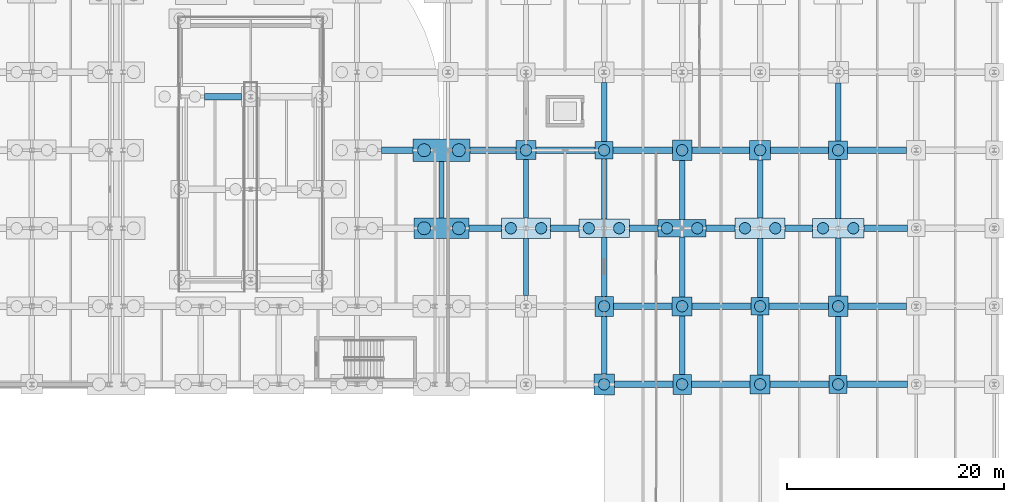
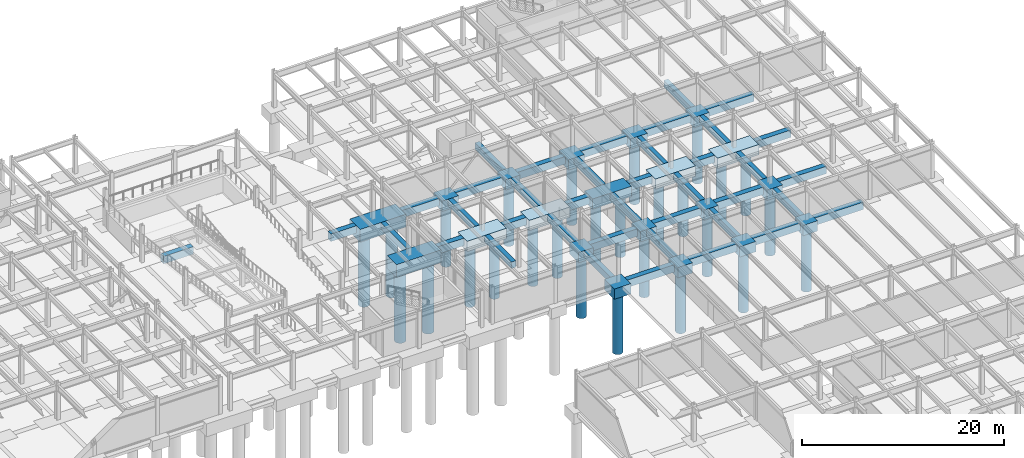
# One storey, part 12 of 54: 59 footings, 27 piles.
"""IFC4 building model written with IfcOpenShell, lengths in metres."""

from ifc_helpers import new_model, si_unit, direction, frame, origin, origin_2d, place, context, subcontext, project, spatial, polyline, rectangle, circle, outline, extrude, material, material_profile, profile_set, type_object, element, save


model = new_model("IFC4")

# Units and contexts
model_context = context("Model", 3, precision=1e-05, world=origin(), true_north=direction((0.0, 1.0)))
body_context = subcontext(model_context, "Body", "Model", "MODEL_VIEW")
ifc_project = project(units=[si_unit("LENGTHUNIT", "METRE"), si_unit("AREAUNIT", "SQUARE_METRE"), si_unit("VOLUMEUNIT", "CUBIC_METRE"), si_unit("PLANEANGLEUNIT", "RADIAN"), si_unit("MASSUNIT", "GRAM", prefix="KILO")], contexts=[model_context])

# Site, building, storey
site_placement = place(None, origin())
site = spatial("IfcSite", under=ifc_project, at=site_placement, CompositionType="ELEMENT")
building_placement = place(site_placement, origin())
building = spatial("IfcBuilding", under=site, at=building_placement, Name="Vaelcorin Mobility Hub", CompositionType="ELEMENT")
storey_placement = place(building_placement, frame((0.0, 0.0, -4.5)))
storey = spatial("IfcBuildingStorey", under=building, at=storey_placement, Name="B1", CompositionType="ELEMENT", Elevation=-4.5)

# Footings
ifc_material = material(Name="Concrete f'c 40 MPa", Category="concrete")
footing_type_1 = type_object("IfcFootingType", Name="FB-500X800", PredefinedType="FOOTING_BEAM", material=ifc_material)
footing_1_placement = place(storey_placement, frame((0.0, 0.0, -0.800048828125)))
element("IfcFooting", 1, at=footing_1_placement, inside=storey, type_object=footing_type_1, Name="Foundation Tie Beam FB-Y-379", PredefinedType="FOOTING_BEAM", context=body_context, shape_type="SweptSolid", body=[
    extrude(outline(polyline([(152.75, 92.125), (153.25, 92.125), (153.25, 97.35009765625), (152.75, 97.35009765625), (152.75, 92.125)])), origin(), (0.0, 0.0, 1.0), 0.800048828125),
])
footing_2_placement = place(storey_placement, frame((0.0, 0.0, -0.800048828125)))
element("IfcFooting", 2, at=footing_2_placement, inside=storey, type_object=footing_type_1, Name="Foundation Tie Beam FB-Y-390", PredefinedType="FOOTING_BEAM", context=body_context, shape_type="SweptSolid", body=[
    extrude(outline(polyline([(160.550048828125, 84.97509765625), (161.050048828125, 84.97509765625), (161.050048828125, 90.27490234375), (160.550048828125, 90.27490234375), (160.550048828125, 84.97509765625)])), origin(), (0.0, 0.0, 1.0), 0.800048828125),
])
footing_3_placement = place(storey_placement, frame((0.0, 0.0, -0.800048828125)))
element("IfcFooting", 3, at=footing_3_placement, inside=storey, type_object=footing_type_1, Name="Foundation Tie Beam FB-Y-391", PredefinedType="FOOTING_BEAM", context=body_context, shape_type="SweptSolid", body=[
    extrude(outline(polyline([(160.550048828125, 92.125), (161.050048828125, 92.125), (161.050048828125, 97.52490234375), (160.550048828125, 97.52490234375), (160.550048828125, 92.125)])), origin(), (0.0, 0.0, 1.0), 0.800048828125),
])
footing_4_placement = place(storey_placement, frame((0.0, 0.0, -0.800048828125)))
element("IfcFooting", 4, at=footing_4_placement, inside=storey, type_object=footing_type_1, Name="Foundation Tie Beam FB-Y-402", PredefinedType="FOOTING_BEAM", context=body_context, shape_type="SweptSolid", body=[
    extrude(outline(polyline([(167.75, 77.77490234375), (168.25, 77.77490234375), (168.25, 83.074951171875), (167.75, 83.074951171875), (167.75, 77.77490234375)])), origin(), (0.0, 0.0, 1.0), 0.800048828125),
])
footing_5_placement = place(storey_placement, frame((0.0, 0.0, -0.800048828125)))
element("IfcFooting", 5, at=footing_5_placement, inside=storey, type_object=footing_type_1, Name="Foundation Tie Beam FB-Y-403", PredefinedType="FOOTING_BEAM", context=body_context, shape_type="SweptSolid", body=[
    extrude(outline(polyline([(167.75, 84.925048828125), (168.25, 84.925048828125), (168.25, 90.324951171875), (167.75, 90.324951171875), (167.75, 84.925048828125)])), origin(), (0.0, 0.0, 1.0), 0.800048828125),
])
footing_6_placement = place(storey_placement, frame((0.0, 0.0, -0.800048828125)))
element("IfcFooting", 6, at=footing_6_placement, inside=storey, type_object=footing_type_1, Name="Foundation Tie Beam FB-Y-404", PredefinedType="FOOTING_BEAM", context=body_context, shape_type="SweptSolid", body=[
    extrude(outline(polyline([(167.75, 92.074951171875), (168.25, 92.074951171875), (168.25, 97.574951171875), (167.75, 97.574951171875), (167.75, 92.074951171875)])), origin(), (0.0, 0.0, 1.0), 0.800048828125),
])
footing_7_placement = place(storey_placement, frame((0.0, 0.0, -0.800048828125)))
element("IfcFooting", 7, at=footing_7_placement, inside=storey, type_object=footing_type_1, Name="Foundation Tie Beam FB-Y-405", PredefinedType="FOOTING_BEAM", context=body_context, shape_type="SweptSolid", body=[
    extrude(outline(polyline([(167.75, 99.22509765625), (168.25, 99.22509765625), (168.25, 104.64990234375), (167.75, 104.64990234375), (167.75, 99.22509765625)])), origin(), (0.0, 0.0, 1.0), 0.800048828125),
])
footing_8_placement = place(storey_placement, frame((0.0, 0.0, -0.800048828125)))
element("IfcFooting", 8, at=footing_8_placement, inside=storey, type_object=footing_type_1, Name="Foundation Tie Beam FB-Y-415", PredefinedType="FOOTING_BEAM", context=body_context, shape_type="SweptSolid", body=[
    extrude(outline(polyline([(174.949951171875, 77.72509765625), (175.449951171875, 77.72509765625), (175.449951171875, 83.125), (174.949951171875, 83.125), (174.949951171875, 77.72509765625)])), origin(), (0.0, 0.0, 1.0), 0.800048828125),
])
footing_9_placement = place(storey_placement, frame((0.0, 0.0, -0.800048828125)))
element("IfcFooting", 9, at=footing_9_placement, inside=storey, type_object=footing_type_1, Name="Foundation Tie Beam FB-Y-416", PredefinedType="FOOTING_BEAM", context=body_context, shape_type="SweptSolid", body=[
    extrude(outline(polyline([(174.949951171875, 84.875), (175.449951171875, 84.875), (175.449951171875, 90.375), (174.949951171875, 90.375), (174.949951171875, 84.875)])), origin(), (0.0, 0.0, 1.0), 0.800048828125),
])
footing_10_placement = place(storey_placement, frame((0.0, 0.0, -0.800048828125)))
element("IfcFooting", 10, at=footing_10_placement, inside=storey, type_object=footing_type_1, Name="Foundation Tie Beam FB-Y-417", PredefinedType="FOOTING_BEAM", context=body_context, shape_type="SweptSolid", body=[
    extrude(outline(polyline([(174.949951171875, 92.02490234375), (175.449951171875, 92.02490234375), (175.449951171875, 97.449951171875), (174.949951171875, 97.449951171875), (174.949951171875, 92.02490234375)])), origin(), (0.0, 0.0, 1.0), 0.800048828125),
])
footing_11_placement = place(storey_placement, frame((0.0, 0.0, -0.800048828125)))
element("IfcFooting", 11, at=footing_11_placement, inside=storey, type_object=footing_type_1, Name="Foundation Tie Beam FB-Y-428", PredefinedType="FOOTING_BEAM", context=body_context, shape_type="SweptSolid", body=[
    extrude(outline(polyline([(182.14990234375, 77.675048828125), (182.64990234375, 77.675048828125), (182.64990234375, 83.175048828125), (182.14990234375, 83.175048828125), (182.14990234375, 77.675048828125)])), origin(), (0.0, 0.0, 1.0), 0.800048828125),
])
footing_12_placement = place(storey_placement, frame((0.0, 0.0, -0.800048828125)))
element("IfcFooting", 12, at=footing_12_placement, inside=storey, type_object=footing_type_1, Name="Foundation Tie Beam FB-Y-429", PredefinedType="FOOTING_BEAM", context=body_context, shape_type="SweptSolid", body=[
    extrude(outline(polyline([(182.14990234375, 84.824951171875), (182.64990234375, 84.824951171875), (182.64990234375, 90.25), (182.14990234375, 90.25), (182.14990234375, 84.824951171875)])), origin(), (0.0, 0.0, 1.0), 0.800048828125),
])
footing_13_placement = place(storey_placement, frame((0.0, 0.0, -0.800048828125)))
element("IfcFooting", 13, at=footing_13_placement, inside=storey, type_object=footing_type_1, Name="Foundation Tie Beam FB-Y-430", PredefinedType="FOOTING_BEAM", context=body_context, shape_type="SweptSolid", body=[
    extrude(outline(polyline([(182.14990234375, 92.14990234375), (182.64990234375, 92.14990234375), (182.64990234375, 97.5), (182.14990234375, 97.5), (182.14990234375, 92.14990234375)])), origin(), (0.0, 0.0, 1.0), 0.800048828125),
])
footing_14_placement = place(storey_placement, frame((0.0, 0.0, -0.800048828125)))
element("IfcFooting", 14, at=footing_14_placement, inside=storey, type_object=footing_type_1, Name="Foundation Tie Beam FB-Y-441", PredefinedType="FOOTING_BEAM", context=body_context, shape_type="SweptSolid", body=[
    extrude(outline(polyline([(189.35009765625, 77.625), (189.85009765625, 77.625), (189.85009765625, 83.050048828125), (189.35009765625, 83.050048828125), (189.35009765625, 77.625)])), origin(), (0.0, 0.0, 1.0), 0.800048828125),
])
footing_15_placement = place(storey_placement, frame((0.0, 0.0, -0.800048828125)))
element("IfcFooting", 15, at=footing_15_placement, inside=storey, type_object=footing_type_1, Name="Foundation Tie Beam FB-Y-442", PredefinedType="FOOTING_BEAM", context=body_context, shape_type="SweptSolid", body=[
    extrude(outline(polyline([(189.35009765625, 84.949951171875), (189.85009765625, 84.949951171875), (189.85009765625, 90.300048828125), (189.35009765625, 90.300048828125), (189.35009765625, 84.949951171875)])), origin(), (0.0, 0.0, 1.0), 0.800048828125),
])
footing_16_placement = place(storey_placement, frame((0.0, 0.0, -0.800048828125)))
element("IfcFooting", 16, at=footing_16_placement, inside=storey, type_object=footing_type_1, Name="Foundation Tie Beam FB-Y-443", PredefinedType="FOOTING_BEAM", context=body_context, shape_type="SweptSolid", body=[
    extrude(outline(polyline([(189.35009765625, 92.10009765625), (189.85009765625, 92.10009765625), (189.85009765625, 97.550048828125), (189.35009765625, 97.550048828125), (189.35009765625, 92.10009765625)])), origin(), (0.0, 0.0, 1.0), 0.800048828125),
])
footing_17_placement = place(storey_placement, frame((0.0, 0.0, -0.800048828125)))
element("IfcFooting", 17, at=footing_17_placement, inside=storey, type_object=footing_type_1, Name="Foundation Tie Beam FB-Y-444", PredefinedType="FOOTING_BEAM", context=body_context, shape_type="SweptSolid", body=[
    extrude(outline(polyline([(189.35009765625, 99.25), (189.85009765625, 99.25), (189.85009765625, 104.625), (189.35009765625, 104.625), (189.35009765625, 99.25)])), origin(), (0.0, 0.0, 1.0), 0.800048828125),
])
footing_type_2 = type_object("IfcFootingType", Name="FB-600X900", PredefinedType="FOOTING_BEAM", material=ifc_material)
footing_18_placement = place(storey_placement, frame((0.0, 0.0, -0.89990234375)))
element("IfcFooting", 18, at=footing_18_placement, inside=storey, type_object=footing_type_2, Name="Foundation Tie Beam FB-X-023", PredefinedType="FOOTING_BEAM", context=body_context, shape_type="SweptSolid", body=[
    extrude(outline(polyline([(168.949951171875, 76.5), (174.35009765625, 76.5), (174.35009765625, 77.10009765625), (168.949951171875, 77.10009765625), (168.949951171875, 76.5)])), origin(), (0.0, 0.0, 1.0), 0.89990234375),
])
footing_19_placement = place(storey_placement, frame((0.0, 0.0, -0.89990234375)))
element("IfcFooting", 19, at=footing_19_placement, inside=storey, type_object=footing_type_2, Name="Foundation Tie Beam FB-X-024", PredefinedType="FOOTING_BEAM", context=body_context, shape_type="SweptSolid", body=[
    extrude(outline(polyline([(176.050048828125, 76.5), (181.47509765625, 76.5), (181.47509765625, 77.10009765625), (176.050048828125, 77.10009765625), (176.050048828125, 76.5)])), origin(), (0.0, 0.0, 1.0), 0.89990234375),
])
footing_20_placement = place(storey_placement, frame((0.0, 0.0, -0.89990234375)))
element("IfcFooting", 20, at=footing_20_placement, inside=storey, type_object=footing_type_2, Name="Foundation Tie Beam FB-X-025", PredefinedType="FOOTING_BEAM", context=body_context, shape_type="SweptSolid", body=[
    extrude(outline(polyline([(183.324951171875, 76.5), (188.77490234375, 76.5), (188.77490234375, 77.10009765625), (183.324951171875, 77.10009765625), (183.324951171875, 76.5)])), origin(), (0.0, 0.0, 1.0), 0.89990234375),
])
footing_21_placement = place(storey_placement, frame((0.0, 0.0, -0.89990234375)))
element("IfcFooting", 21, at=footing_21_placement, inside=storey, type_object=footing_type_2, Name="Foundation Tie Beam FB-X-026", PredefinedType="FOOTING_BEAM", context=body_context, shape_type="SweptSolid", body=[
    extrude(outline(polyline([(190.425048828125, 76.5), (195.97509765625, 76.5), (195.97509765625, 77.10009765625), (190.425048828125, 77.10009765625), (190.425048828125, 76.5)])), origin(), (0.0, 0.0, 1.0), 0.89990234375),
])
footing_22_placement = place(storey_placement, frame((0.0, 0.0, -0.89990234375)))
element("IfcFooting", 22, at=footing_22_placement, inside=storey, type_object=footing_type_2, Name="Foundation Tie Beam FB-X-050", PredefinedType="FOOTING_BEAM", context=body_context, shape_type="SweptSolid", body=[
    extrude(outline(polyline([(168.85009765625, 83.699951171875), (174.27490234375, 83.699951171875), (174.27490234375, 84.300048828125), (168.85009765625, 84.300048828125), (168.85009765625, 83.699951171875)])), origin(), (0.0, 0.0, 1.0), 0.89990234375),
])
footing_23_placement = place(storey_placement, frame((0.0, 0.0, -0.89990234375)))
element("IfcFooting", 23, at=footing_23_placement, inside=storey, type_object=footing_type_2, Name="Foundation Tie Beam FB-X-051", PredefinedType="FOOTING_BEAM", context=body_context, shape_type="SweptSolid", body=[
    extrude(outline(polyline([(176.125, 83.699951171875), (181.574951171875, 83.699951171875), (181.574951171875, 84.300048828125), (176.125, 84.300048828125), (176.125, 83.699951171875)])), origin(), (0.0, 0.0, 1.0), 0.89990234375),
])
footing_24_placement = place(storey_placement, frame((0.0, 0.0, -0.89990234375)))
element("IfcFooting", 24, at=footing_24_placement, inside=storey, type_object=footing_type_2, Name="Foundation Tie Beam FB-X-052", PredefinedType="FOOTING_BEAM", context=body_context, shape_type="SweptSolid", body=[
    extrude(outline(polyline([(183.22509765625, 83.699951171875), (188.699951171875, 83.699951171875), (188.699951171875, 84.300048828125), (183.22509765625, 84.300048828125), (183.22509765625, 83.699951171875)])), origin(), (0.0, 0.0, 1.0), 0.89990234375),
])
footing_25_placement = place(storey_placement, frame((0.0, 0.0, -0.89990234375)))
element("IfcFooting", 25, at=footing_25_placement, inside=storey, type_object=footing_type_2, Name="Foundation Tie Beam FB-X-053", PredefinedType="FOOTING_BEAM", context=body_context, shape_type="SweptSolid", body=[
    extrude(outline(polyline([(190.5, 83.699951171875), (195.89990234375, 83.699951171875), (195.89990234375, 84.300048828125), (190.5, 84.300048828125), (190.5, 83.699951171875)])), origin(), (0.0, 0.0, 1.0), 0.89990234375),
])
footing_26_placement = place(storey_placement, frame((0.0, 0.0, -0.89990234375)))
element("IfcFooting", 26, at=footing_26_placement, inside=storey, type_object=footing_type_2, Name="Foundation Tie Beam FB-X-069", PredefinedType="FOOTING_BEAM", context=body_context, shape_type="SweptSolid", body=[
    extrude(outline(polyline([(155.550048828125, 90.89990234375), (158.550048828125, 90.89990234375), (158.550048828125, 91.5), (155.550048828125, 91.5), (155.550048828125, 90.89990234375)])), origin(), (0.0, 0.0, 1.0), 0.89990234375),
])
footing_27_placement = place(storey_placement, frame((0.0, 0.0, -0.89990234375)))
element("IfcFooting", 27, at=footing_27_placement, inside=storey, type_object=footing_type_2, Name="Foundation Tie Beam FB-X-070", PredefinedType="FOOTING_BEAM", context=body_context, shape_type="SweptSolid", body=[
    extrude(outline(polyline([(163.050048828125, 90.89990234375), (165.675048828125, 90.89990234375), (165.675048828125, 91.5), (163.050048828125, 91.5), (163.050048828125, 90.89990234375)])), origin(), (0.0, 0.0, 1.0), 0.89990234375),
])
footing_28_placement = place(storey_placement, frame((0.0, 0.0, -0.89990234375)))
element("IfcFooting", 28, at=footing_28_placement, inside=storey, type_object=footing_type_2, Name="Foundation Tie Beam FB-X-071", PredefinedType="FOOTING_BEAM", context=body_context, shape_type="SweptSolid", body=[
    extrude(outline(polyline([(170.324951171875, 90.89990234375), (172.97509765625, 90.89990234375), (172.97509765625, 91.5), (170.324951171875, 91.5), (170.324951171875, 90.89990234375)])), origin(), (0.0, 0.0, 1.0), 0.89990234375),
])
footing_29_placement = place(storey_placement, frame((0.0, 0.0, -0.89990234375)))
element("IfcFooting", 29, at=footing_29_placement, inside=storey, type_object=footing_type_2, Name="Foundation Tie Beam FB-X-072", PredefinedType="FOOTING_BEAM", context=body_context, shape_type="SweptSolid", body=[
    extrude(outline(polyline([(177.425048828125, 90.89990234375), (180.10009765625, 90.89990234375), (180.10009765625, 91.5), (177.425048828125, 91.5), (177.425048828125, 90.89990234375)])), origin(), (0.0, 0.0, 1.0), 0.89990234375),
])
footing_30_placement = place(storey_placement, frame((0.0, 0.0, -0.89990234375)))
element("IfcFooting", 30, at=footing_30_placement, inside=storey, type_object=footing_type_2, Name="Foundation Tie Beam FB-X-073", PredefinedType="FOOTING_BEAM", context=body_context, shape_type="SweptSolid", body=[
    extrude(outline(polyline([(184.699951171875, 90.89990234375), (187.22509765625, 90.89990234375), (187.22509765625, 91.5), (184.699951171875, 91.5), (184.699951171875, 90.89990234375)])), origin(), (0.0, 0.0, 1.0), 0.89990234375),
])
footing_31_placement = place(storey_placement, frame((0.0, 0.0, -0.89990234375)))
element("IfcFooting", 31, at=footing_31_placement, inside=storey, type_object=footing_type_2, Name="Foundation Tie Beam FB-X-074", PredefinedType="FOOTING_BEAM", context=body_context, shape_type="SweptSolid", body=[
    extrude(outline(polyline([(191.97509765625, 90.89990234375), (196.0, 90.89990234375), (196.0, 91.5), (191.97509765625, 91.5), (191.97509765625, 90.89990234375)])), origin(), (0.0, 0.0, 1.0), 0.89990234375),
])
footing_32_placement = place(storey_placement, frame((0.0, 0.0, -0.89990234375)))
element("IfcFooting", 32, at=footing_32_placement, inside=storey, type_object=footing_type_2, Name="Foundation Tie Beam FB-X-089", PredefinedType="FOOTING_BEAM", context=body_context, shape_type="SweptSolid", body=[
    extrude(outline(polyline([(147.449951171875, 98.10009765625), (150.375, 98.10009765625), (150.375, 98.699951171875), (147.449951171875, 98.699951171875), (147.449951171875, 98.10009765625)])), origin(), (0.0, 0.0, 1.0), 0.89990234375),
])
footing_33_placement = place(storey_placement, frame((0.0, 0.0, -0.89990234375)))
element("IfcFooting", 33, at=footing_33_placement, inside=storey, type_object=footing_type_2, Name="Foundation Tie Beam FB-X-090", PredefinedType="FOOTING_BEAM", context=body_context, shape_type="SweptSolid", body=[
    extrude(outline(polyline([(155.625, 98.10009765625), (159.875, 98.10009765625), (159.875, 98.699951171875), (155.625, 98.699951171875), (155.625, 98.10009765625)])), origin(), (0.0, 0.0, 1.0), 0.89990234375),
])
footing_34_placement = place(storey_placement, frame((0.0, 0.0, -0.89990234375)))
element("IfcFooting", 34, at=footing_34_placement, inside=storey, type_object=footing_type_2, Name="Foundation Tie Beam FB-X-091", PredefinedType="FOOTING_BEAM", context=body_context, shape_type="SweptSolid", body=[
    extrude(outline(polyline([(161.72509765625, 98.10009765625), (167.175048828125, 98.10009765625), (167.175048828125, 98.699951171875), (161.72509765625, 98.699951171875), (161.72509765625, 98.10009765625)])), origin(), (0.0, 0.0, 1.0), 0.89990234375),
])
footing_35_placement = place(storey_placement, frame((0.0, 0.0, -0.89990234375)))
element("IfcFooting", 35, at=footing_35_placement, inside=storey, type_object=footing_type_2, Name="Foundation Tie Beam FB-X-092", PredefinedType="FOOTING_BEAM", context=body_context, shape_type="SweptSolid", body=[
    extrude(outline(polyline([(168.824951171875, 98.10009765625), (174.300048828125, 98.10009765625), (174.300048828125, 98.699951171875), (168.824951171875, 98.699951171875), (168.824951171875, 98.10009765625)])), origin(), (0.0, 0.0, 1.0), 0.89990234375),
])
footing_36_placement = place(storey_placement, frame((0.0, 0.0, -0.89990234375)))
element("IfcFooting", 36, at=footing_36_placement, inside=storey, type_object=footing_type_2, Name="Foundation Tie Beam FB-X-093", PredefinedType="FOOTING_BEAM", context=body_context, shape_type="SweptSolid", body=[
    extrude(outline(polyline([(176.10009765625, 98.10009765625), (181.425048828125, 98.10009765625), (181.425048828125, 98.699951171875), (176.10009765625, 98.699951171875), (176.10009765625, 98.10009765625)])), origin(), (0.0, 0.0, 1.0), 0.89990234375),
])
footing_37_placement = place(storey_placement, frame((0.0, 0.0, -0.89990234375)))
element("IfcFooting", 37, at=footing_37_placement, inside=storey, type_object=footing_type_2, Name="Foundation Tie Beam FB-X-094", PredefinedType="FOOTING_BEAM", context=body_context, shape_type="SweptSolid", body=[
    extrude(outline(polyline([(183.375, 98.10009765625), (188.72509765625, 98.10009765625), (188.72509765625, 98.699951171875), (183.375, 98.699951171875), (183.375, 98.10009765625)])), origin(), (0.0, 0.0, 1.0), 0.89990234375),
])
footing_38_placement = place(storey_placement, frame((0.0, 0.0, -0.89990234375)))
element("IfcFooting", 38, at=footing_38_placement, inside=storey, type_object=footing_type_2, Name="Foundation Tie Beam FB-X-095", PredefinedType="FOOTING_BEAM", context=body_context, shape_type="SweptSolid", body=[
    extrude(outline(polyline([(190.47509765625, 98.10009765625), (195.925048828125, 98.10009765625), (195.925048828125, 98.699951171875), (190.47509765625, 98.699951171875), (190.47509765625, 98.10009765625)])), origin(), (0.0, 0.0, 1.0), 0.89990234375),
])
footing_39_placement = place(storey_placement, frame((0.0, 0.0, -0.89990234375)))
element("IfcFooting", 39, at=footing_39_placement, inside=storey, type_object=footing_type_2, Name="Foundation Tie Beam FB-X-260", PredefinedType="FOOTING_BEAM", context=body_context, shape_type="SweptSolid", body=[
    extrude(outline(polyline([(131.14990234375, 103.050048828125), (134.550048828125, 103.050048828125), (134.550048828125, 103.64990234375), (131.14990234375, 103.64990234375), (131.14990234375, 103.050048828125)])), origin(), (0.0, 0.0, 1.0), 0.89990234375),
])
footing_type_3 = type_object("IfcFootingType", Name="FTG-PC-21", PredefinedType="PILE_CAP", material=ifc_material)
footing_40_placement = place(storey_placement, frame((189.60009765625, 98.39990234375, -1.25), z_axis=(0.0, 0.0, 1.0), x_axis=(1.0, 0.0, 0.0)))
element("IfcFooting", 40, at=footing_40_placement, inside=storey, type_object=footing_type_3, Name="Pile Cap PC-21 241", PredefinedType="PILE_CAP", context=body_context, shape_type="SweptSolid", body=[
    extrude(rectangle(XDim=1.75, YDim=1.699951171875, at=origin_2d()), origin(), (0.0, 0.0, 1.0), 1.25),
])
footing_type_4 = type_object("IfcFootingType", Name="FTG-PC-23", PredefinedType="PILE_CAP", material=ifc_material)
for number, where, z_axis, x_axis, name in (
    (41, (160.800048828125, 98.39990234375, -1.25), (0.0, 0.0, 1.0), (1.0, 0.0, 0.0), "Pile Cap PC-23 181"),
    (42, (175.199951171875, 84.0, -1.25), (0.0, 0.0, 1.0), (1.0, 0.0, 0.0), "Pile Cap PC-23 209"),
    (43, (182.39990234375, 76.800048828125, -1.25), (0.0, 0.0, 1.0), (1.0, 0.0, 0.0), "Pile Cap PC-23 223"),
):
    element("IfcFooting", number, at=place(storey_placement, frame(where, z_axis=z_axis, x_axis=x_axis)), inside=storey, type_object=footing_type_4, Name=name, PredefinedType="PILE_CAP", context=body_context, shape_type="SweptSolid", body=[
        extrude(rectangle(XDim=1.85009765625, YDim=1.75, at=origin_2d()), origin(), (0.0, 0.0, 1.0), 1.25),
    ])
footing_type_5 = type_object("IfcFootingType", Name="FTG-PC-24", PredefinedType="PILE_CAP", material=ifc_material)
footing_41_placement = place(storey_placement, frame((189.60009765625, 91.199951171875, -1.25), z_axis=(0.0, 0.0, 1.0), x_axis=(1.0, 0.0, 0.0)))
element("IfcFooting", 44, at=footing_41_placement, inside=storey, type_object=footing_type_5, Name="Pile Cap PC-24 240", PredefinedType="PILE_CAP", context=body_context, shape_type="SweptSolid", body=[
    extrude(rectangle(XDim=4.75, YDim=1.800048828125, at=origin_2d()), origin(), (0.0, 0.0, 1.0), 1.25),
])
footing_type_6 = type_object("IfcFootingType", Name="FTG-PC-25", PredefinedType="PILE_CAP", material=ifc_material)
for number, where, z_axis, x_axis, name in (
    (45, (168.0, 84.0, -1.25), (0.0, 0.0, 1.0), (1.0, 0.0, 0.0), "Pile Cap PC-25 194"),
    (46, (175.199951171875, 76.800048828125, -1.25), (0.0, 0.0, 1.0), (1.0, 0.0, 0.0), "Pile Cap PC-25 208"),
):
    element("IfcFooting", number, at=place(storey_placement, frame(where, z_axis=z_axis, x_axis=x_axis)), inside=storey, type_object=footing_type_6, Name=name, PredefinedType="PILE_CAP", context=body_context, shape_type="SweptSolid", body=[
        extrude(rectangle(XDim=1.699951171875, YDim=1.85009765625, at=origin_2d()), origin(), (0.0, 0.0, 1.0), 1.25),
    ])
footing_type_7 = type_object("IfcFootingType", Name="FTG-PC-26", PredefinedType="PILE_CAP", material=ifc_material)
for number, where, z_axis, x_axis, name in (
    (47, (175.199951171875, 98.39990234375, -1.25), (0.0, 0.0, 1.0), (1.0, 0.0, 0.0), "Pile Cap PC-26 211"),
    (48, (189.60009765625, 84.0, -1.25), (0.0, 0.0, 1.0), (1.0, 0.0, 0.0), "Pile Cap PC-26 239"),
):
    element("IfcFooting", number, at=place(storey_placement, frame(where, z_axis=z_axis, x_axis=x_axis)), inside=storey, type_object=footing_type_7, Name=name, PredefinedType="PILE_CAP", context=body_context, shape_type="SweptSolid", body=[
        extrude(rectangle(XDim=1.800048828125, YDim=1.89990234375, at=origin_2d()), origin(), (0.0, 0.0, 1.0), 1.25),
    ])
footing_type_8 = type_object("IfcFootingType", Name="FTG-PC-28", PredefinedType="PILE_CAP", material=ifc_material)
for number, where, z_axis, x_axis, name in (
    (49, (168.0, 98.39990234375, -1.25), (0.0, 0.0, 1.0), (1.0, 0.0, 0.0), "Pile Cap PC-28 196"),
    (50, (182.39990234375, 84.0, -1.25), (0.0, 0.0, 1.0), (1.0, 0.0, 0.0), "Pile Cap PC-28 224"),
    (51, (189.60009765625, 76.800048828125, -1.25), (0.0, 0.0, 1.0), (1.0, 0.0, 0.0), "Pile Cap PC-28 238"),
):
    element("IfcFooting", number, at=place(storey_placement, frame(where, z_axis=z_axis, x_axis=x_axis)), inside=storey, type_object=footing_type_8, Name=name, PredefinedType="PILE_CAP", context=body_context, shape_type="SweptSolid", body=[
        extrude(rectangle(XDim=1.64990234375, YDim=1.64990234375, at=origin_2d()), origin(), (0.0, 0.0, 1.0), 1.25),
    ])
footing_type_9 = type_object("IfcFootingType", Name="FTG-PC-29", PredefinedType="PILE_CAP", material=ifc_material)
footing_42_placement = place(storey_placement, frame((168.0, 91.199951171875, -1.25), z_axis=(0.0, 0.0, 1.0), x_axis=(1.0, 0.0, 0.0)))
element("IfcFooting", 52, at=footing_42_placement, inside=storey, type_object=footing_type_9, Name="Pile Cap PC-29 195", PredefinedType="PILE_CAP", context=body_context, shape_type="SweptSolid", body=[
    extrude(rectangle(XDim=4.64990234375, YDim=1.75, at=origin_2d()), origin(), (0.0, 0.0, 1.0), 1.25),
])
footing_type_10 = type_object("IfcFootingType", Name="FTG-PC-30", PredefinedType="PILE_CAP", material=ifc_material)
footing_43_placement = place(storey_placement, frame((182.39990234375, 98.39990234375, -1.25), z_axis=(0.0, 0.0, 1.0), x_axis=(1.0, 0.0, 0.0)))
element("IfcFooting", 53, at=footing_43_placement, inside=storey, type_object=footing_type_10, Name="Pile Cap PC-30 226", PredefinedType="PILE_CAP", context=body_context, shape_type="SweptSolid", body=[
    extrude(rectangle(XDim=1.949951171875, YDim=1.800048828125, at=origin_2d()), origin(), (0.0, 0.0, 1.0), 1.25),
])
footing_type_11 = type_object("IfcFootingType", Name="FTG-PC-31", PredefinedType="PILE_CAP", material=ifc_material)
footing_44_placement = place(storey_placement, frame((160.800048828125, 91.199951171875, -1.25), z_axis=(0.0, 0.0, 1.0), x_axis=(1.0, 0.0, 0.0)))
element("IfcFooting", 54, at=footing_44_placement, inside=storey, type_object=footing_type_11, Name="Pile Cap PC-31 180", PredefinedType="PILE_CAP", context=body_context, shape_type="SweptSolid", body=[
    extrude(rectangle(XDim=4.5, YDim=1.85009765625, at=origin_2d()), origin(), (0.0, 0.0, 1.0), 1.25),
])
footing_type_12 = type_object("IfcFootingType", Name="FTG-PC-32", PredefinedType="PILE_CAP", material=ifc_material)
footing_45_placement = place(storey_placement, frame((182.39990234375, 91.199951171875, -1.25), z_axis=(0.0, 0.0, 1.0), x_axis=(1.0, 0.0, 0.0)))
element("IfcFooting", 55, at=footing_45_placement, inside=storey, type_object=footing_type_12, Name="Pile Cap PC-32 225", PredefinedType="PILE_CAP", context=body_context, shape_type="SweptSolid", body=[
    extrude(rectangle(XDim=4.60009765625, YDim=1.89990234375, at=origin_2d()), origin(), (0.0, 0.0, 1.0), 1.25),
])
footing_type_13 = type_object("IfcFootingType", Name="FTG-PC-33", PredefinedType="PILE_CAP", material=ifc_material)
footing_46_placement = place(storey_placement, frame((175.199951171875, 91.199951171875, -1.25), z_axis=(0.0, 0.0, 1.0), x_axis=(1.0, 0.0, 0.0)))
element("IfcFooting", 56, at=footing_46_placement, inside=storey, type_object=footing_type_13, Name="Pile Cap PC-33 210", PredefinedType="PILE_CAP", context=body_context, shape_type="SweptSolid", body=[
    extrude(rectangle(XDim=4.449951171875, YDim=1.64990234375, at=origin_2d()), origin(), (0.0, 0.0, 1.0), 1.25),
])
footing_type_14 = type_object("IfcFootingType", Name="FTG-PC-35", PredefinedType="PILE_CAP", material=ifc_material)
footing_47_placement = place(storey_placement, frame((168.0, 76.800048828125, -1.25), z_axis=(0.0, 0.0, 1.0), x_axis=(1.0, 0.0, 0.0)))
element("IfcFooting", 57, at=footing_47_placement, inside=storey, type_object=footing_type_14, Name="Pile Cap PC-35 193", PredefinedType="PILE_CAP", context=body_context, shape_type="SweptSolid", body=[
    extrude(rectangle(XDim=1.89990234375, YDim=1.949951171875, at=origin_2d()), origin(), (0.0, 0.0, 1.0), 1.25),
])
footing_type_15 = type_object("IfcFootingType", Name="FTG-PC-COMB08", PredefinedType="PILE_CAP", material=ifc_material)
footing_48_placement = place(storey_placement, frame((153.0, 98.39990234375, -1.5498046875), z_axis=(0.0, 0.0, 1.0), x_axis=(1.0, 0.0, 0.0)))
element("IfcFooting", 58, at=footing_48_placement, inside=storey, type_object=footing_type_15, Name="Pile Cap PC-COMB08 158", PredefinedType="PILE_CAP", context=body_context, shape_type="SweptSolid", body=[
    extrude(rectangle(XDim=5.25, YDim=2.10009765625, at=origin_2d()), origin(), (0.0, 0.0, 1.0), 1.550048828125),
])
footing_type_16 = type_object("IfcFootingType", Name="FTG-PC-COMB14", PredefinedType="PILE_CAP", material=ifc_material)
footing_49_placement = place(storey_placement, frame((153.0, 91.199951171875, -1.5498046875), z_axis=(0.0, 0.0, 1.0), x_axis=(1.0, 0.0, 0.0)))
element("IfcFooting", 59, at=footing_49_placement, inside=storey, type_object=footing_type_16, Name="Pile Cap PC-COMB14 157", PredefinedType="PILE_CAP", context=body_context, shape_type="SweptSolid", body=[
    extrude(rectangle(XDim=5.10009765625, YDim=1.85009765625, at=origin_2d()), origin(), (0.0, 0.0, 1.0), 1.550048828125),
])

# Piles
ifc_material_profile_1 = material_profile(ifc_material, circle(Radius=0.52490234375, at=origin_2d()), Name="BP-D1050")
ifc_profile_set_1 = profile_set([ifc_material_profile_1], Name="Concrete f'c 40 MPa")
pile_type_1 = type_object("IfcPileType", Name="PILE-D1050", PredefinedType="BORED", material=ifc_profile_set_1)
for number, where, z_axis, x_axis, name in (
    (60, (159.39990234375, 91.199951171875, -1.14990234375), (0.0, 0.0, -1.0), (1.0, 0.0, 0.0), "Bored Pile CAP-180-P1"),
    (61, (162.199951171875, 91.199951171875, -1.14990234375), (0.0, 0.0, -1.0), (1.0, 0.0, 0.0), "Bored Pile CAP-180-P2"),
    (62, (160.800048828125, 98.39990234375, -1.14990234375), (0.0, 0.0, -1.0), (1.0, 0.0, 0.0), "Bored Pile CAP-181-P1"),
    (63, (168.0, 76.800048828125, -1.14990234375), (0.0, 0.0, -1.0), (1.0, 0.0, 0.0), "Bored Pile CAP-193-P1"),
    (64, (168.0, 84.0, -1.14990234375), (0.0, 0.0, -1.0), (1.0, 0.0, 0.0), "Bored Pile CAP-194-P1"),
    (65, (166.60009765625, 91.199951171875, -1.14990234375), (0.0, 0.0, -1.0), (1.0, 0.0, 0.0), "Bored Pile CAP-195-P1"),
    (66, (169.39990234375, 91.199951171875, -1.14990234375), (0.0, 0.0, -1.0), (1.0, 0.0, 0.0), "Bored Pile CAP-195-P2"),
    (67, (168.0, 98.39990234375, -1.14990234375), (0.0, 0.0, -1.0), (1.0, 0.0, 0.0), "Bored Pile CAP-196-P1"),
    (68, (175.199951171875, 76.800048828125, -1.14990234375), (0.0, 0.0, -1.0), (1.0, 0.0, 0.0), "Bored Pile CAP-208-P1"),
    (69, (175.199951171875, 84.0, -1.14990234375), (0.0, 0.0, -1.0), (1.0, 0.0, 0.0), "Bored Pile CAP-209-P1"),
    (70, (173.800048828125, 91.199951171875, -1.14990234375), (0.0, 0.0, -1.0), (1.0, 0.0, 0.0), "Bored Pile CAP-210-P1"),
    (71, (176.60009765625, 91.199951171875, -1.14990234375), (0.0, 0.0, -1.0), (1.0, 0.0, 0.0), "Bored Pile CAP-210-P2"),
    (72, (175.199951171875, 98.39990234375, -1.14990234375), (0.0, 0.0, -1.0), (1.0, 0.0, 0.0), "Bored Pile CAP-211-P1"),
    (73, (182.39990234375, 76.800048828125, -1.14990234375), (0.0, 0.0, -1.0), (1.0, 0.0, 0.0), "Bored Pile CAP-223-P1"),
    (74, (182.39990234375, 84.0, -1.14990234375), (0.0, 0.0, -1.0), (1.0, 0.0, 0.0), "Bored Pile CAP-224-P1"),
    (75, (181.0, 91.199951171875, -1.14990234375), (0.0, 0.0, -1.0), (1.0, 0.0, 0.0), "Bored Pile CAP-225-P1"),
    (76, (183.800048828125, 91.199951171875, -1.14990234375), (0.0, 0.0, -1.0), (1.0, 0.0, 0.0), "Bored Pile CAP-225-P2"),
    (77, (182.39990234375, 98.39990234375, -1.14990234375), (0.0, 0.0, -1.0), (1.0, 0.0, 0.0), "Bored Pile CAP-226-P1"),
    (78, (189.60009765625, 76.800048828125, -1.14990234375), (0.0, 0.0, -1.0), (1.0, 0.0, 0.0), "Bored Pile CAP-238-P1"),
    (79, (189.60009765625, 84.0, -1.14990234375), (0.0, 0.0, -1.0), (1.0, 0.0, 0.0), "Bored Pile CAP-239-P1"),
    (80, (188.199951171875, 91.199951171875, -1.14990234375), (0.0, 0.0, -1.0), (1.0, 0.0, 0.0), "Bored Pile CAP-240-P1"),
    (81, (191.0, 91.199951171875, -1.14990234375), (0.0, 0.0, -1.0), (1.0, 0.0, 0.0), "Bored Pile CAP-240-P2"),
    (82, (189.60009765625, 98.39990234375, -1.14990234375), (0.0, 0.0, -1.0), (1.0, 0.0, 0.0), "Bored Pile CAP-241-P1"),
):
    element("IfcPile", number, at=place(storey_placement, frame(where, z_axis=z_axis, x_axis=x_axis)), inside=storey, type_object=pile_type_1, Name=name, PredefinedType="BORED", context=body_context, shape_type="SweptSolid", body=[
        extrude(circle(Radius=0.52490234375, at=origin_2d()), origin(), (0.0, 0.0, 1.0), 7.35009765625),
    ])
ifc_material_profile_2 = material_profile(ifc_material, circle(Radius=0.60009765625, at=origin_2d()), Name="BP-D1200")
ifc_profile_set_2 = profile_set([ifc_material_profile_2], Name="Concrete f'c 40 MPa")
pile_type_2 = type_object("IfcPileType", Name="PILE-D1200", PredefinedType="BORED", material=ifc_profile_set_2)
for number, where, z_axis, x_axis, name in (
    (83, (151.39990234375, 91.199951171875, -1.449951171875), (0.0, 0.0, -1.0), (1.0, 0.0, 0.0), "Bored Pile CAP-157-P1"),
    (84, (154.60009765625, 91.199951171875, -1.449951171875), (0.0, 0.0, -1.0), (1.0, 0.0, 0.0), "Bored Pile CAP-157-P2"),
    (85, (151.39990234375, 98.39990234375, -1.449951171875), (0.0, 0.0, -1.0), (1.0, 0.0, 0.0), "Bored Pile CAP-158-P1"),
    (86, (154.60009765625, 98.39990234375, -1.449951171875), (0.0, 0.0, -1.0), (1.0, 0.0, 0.0), "Bored Pile CAP-158-P2"),
):
    element("IfcPile", number, at=place(storey_placement, frame(where, z_axis=z_axis, x_axis=x_axis)), inside=storey, type_object=pile_type_2, Name=name, PredefinedType="BORED", context=body_context, shape_type="SweptSolid", body=[
        extrude(circle(Radius=0.60009765625, at=origin_2d()), origin(), (0.0, 0.0, 1.0), 8.550048828125),
    ])

save(model, "model.ifc")
